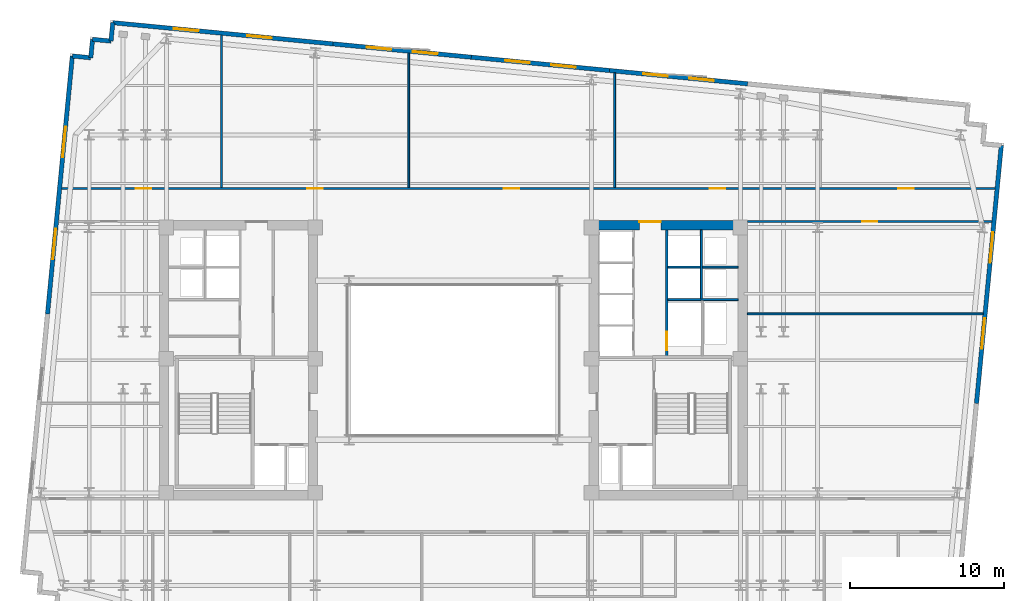
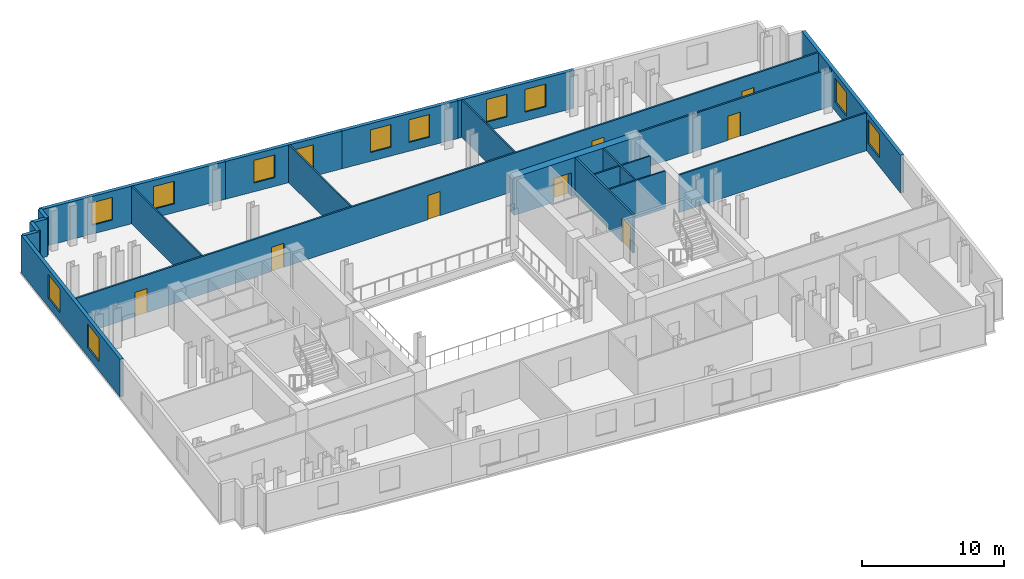
# One storey, part 6 of 9: 22 walls, 12 windows, 8 doors, 20 openings.
"""IFC4 building model written with IfcOpenShell, lengths in metres."""

from ifc_helpers import new_model, si_unit, direction, frame, frame_2d, origin, place, context, subcontext, project, spatial, rectangle, extrude, material, layer, layer_set, type_object, element, fill, save


model = new_model("IFC4")

# Units and contexts
model_context = context("Model", 3, precision=1e-05, world=origin(), true_north=direction((0.0, 1.0)))
body_context = subcontext(model_context, "Body", "Model", "MODEL_VIEW")
ifc_project = project(units=[si_unit("LENGTHUNIT", "METRE"), si_unit("AREAUNIT", "SQUARE_METRE"), si_unit("VOLUMEUNIT", "CUBIC_METRE"), si_unit("PLANEANGLEUNIT", "RADIAN"), si_unit("MASSUNIT", "GRAM", prefix="KILO")], contexts=[model_context])

# Site, building, storey
site_placement = place(None, origin())
site = spatial("IfcSite", under=ifc_project, at=site_placement, CompositionType="ELEMENT")
building_placement = place(site_placement, origin())
building = spatial("IfcBuilding", under=site, at=building_placement, Name="Velakula Bourse", CompositionType="ELEMENT")
storey_placement = place(building_placement, frame((0.0, 0.0, 177.64990234375)))
storey = spatial("IfcBuildingStorey", under=building, at=storey_placement, Name="L48", CompositionType="ELEMENT", Elevation=177.64990234375)

# Wall, opening, door
ifc_material_1 = material(Name="Concrete M70 (fck 70 MPa)", Category="concrete")
ifc_layer_1 = layer(ifc_material_1, 0.60009765625, Name="Concrete M70 (fck 70 MPa)", Category="concrete")
ifc_layer_set_1 = layer_set([ifc_layer_1], Name="Concrete M70 (fck 70 MPa)")
wall_type_1 = type_object("IfcWallType", Name="WL-CORE-600", PredefinedType="SHEAR", material=ifc_layer_set_1)
wall_1_placement = place(storey_placement, frame((8.800048828125, 8.75, 0.0), z_axis=(0.0, 0.0, 1.0), x_axis=(1.0, 0.0, 0.0)))
wall_1 = element("IfcWall", 1, at=wall_1_placement, inside=storey, type_object=wall_type_1, Name="L48 Core E Shear Wall N", PredefinedType="SHEAR", context=body_context, shape_type="SweptSolid", body=[
    extrude(rectangle(XDim=10.25, YDim=0.60009765625, at=frame_2d((5.125, 0.0))), origin(), (0.0, 0.0, 1.0), 3.27001953125),
])
opening_1_placement = place(wall_1_placement, frame((3.25, 0.0, 0.0)))
opening_1 = element("IfcOpeningElement", 2, at=opening_1_placement, cuts=wall_1, Name="Opening D-LLE", PredefinedType="OPENING", context=body_context, shape_type="SweptSolid", body=[
    extrude(rectangle(XDim=1.39990234375, YDim=2.050048828125, at=frame_2d((0.699951171875, 1.02490234375))), frame((0.0, 0.31005859375, 0.0), z_axis=(0.0, -1.0, 0.0), x_axis=(1.0, 0.0, 0.0)), (0.0, 0.0, 1.0), 0.6201171875),
])
ifc_material_2 = material(Name="Fire-rated hardwood flush architectural door", Category="wood")
door_type_1 = type_object("IfcDoorType", Name="DR-DBL-FD60-1400", OperationType="DOUBLE_DOOR_SINGLE_SWING", PredefinedType="DOOR", material=ifc_material_2)
door_1_placement = place(opening_1_placement, origin())
door_1 = element("IfcDoor", 3, at=door_1_placement, inside=storey, type_object=door_type_1, Name="L48 Core E Lift Lobby Corridor Double Door", OperationType="DOUBLE_DOOR_SINGLE_SWING", OverallHeight=2.050048828125, OverallWidth=1.39990234375, PredefinedType="DOOR", context=body_context, shape_type="SweptSolid", body=[
    extrude(rectangle(XDim=1.39990234375, YDim=2.050048828125, at=frame_2d((0.699951171875, 1.02490234375))), frame((0.0, 0.2451171875, 0.0), z_axis=(0.0, -1.0, 0.0), x_axis=(1.0, 0.0, 0.0)), (0.0, 0.0, 1.0), 0.050048828125),
])
fill(opening_1, door_1)

# Wall, openings, windows
ifc_material_3 = material(Name="Red kilned clay facing brick masonry", Category="masonry")
ifc_layer_2 = layer(ifc_material_3, 0.280029296875, Name="Red kilned clay facing brick masonry", Category="masonry")
ifc_layer_set_2 = layer_set([ifc_layer_2], Name="Red kilned clay facing brick masonry")
wall_type_2 = type_object("IfcWallType", Name="WL-EXT-BRK-280", PredefinedType="STANDARD", material=ifc_layer_set_2)
wall_2_placement = place(storey_placement, frame((-22.072509765625, 21.8701171875, 0.0), z_axis=(0.0, 0.0, 1.0), x_axis=(0.995395606285, -0.095851901334, 0.0)))
wall_2 = element("IfcWall", 4, at=wall_2_placement, inside=storey, type_object=wall_type_2, Name="L48 N Brick Spandrel Wall B1", PredefinedType="STANDARD", context=body_context, shape_type="SweptSolid", body=[
    extrude(rectangle(XDim=14.33984375, YDim=0.280029296875, at=frame_2d((7.169921875, 0.0))), origin(), (0.0, 0.0, 1.0), 3.25),
])
opening_2_placement = place(wall_2_placement, frame((3.97998046875, 0.0, 0.760009765625)))
opening_2 = element("IfcOpeningElement", 5, at=opening_2_placement, cuts=wall_2, Name="Opening W-02", PredefinedType="OPENING", context=body_context, shape_type="SweptSolid", body=[
    extrude(rectangle(XDim=1.60009765625, YDim=1.949951171875, at=frame_2d((0.800048828125, 0.97509765625))), frame((0.0, 0.14990234375, 0.0), z_axis=(0.0, -1.0, 0.0), x_axis=(1.0, 0.0, 0.0)), (0.0, 0.0, 1.0), 0.300048828125),
])
opening_3_placement = place(wall_2_placement, frame((8.760009765625, 0.0, 0.760009765625)))
opening_3 = element("IfcOpeningElement", 6, at=opening_3_placement, cuts=wall_2, Name="Opening W-02", PredefinedType="OPENING", context=body_context, shape_type="SweptSolid", body=[
    extrude(rectangle(XDim=1.60009765625, YDim=1.949951171875, at=frame_2d((0.800048828125, 0.97509765625))), frame((0.0, 0.14990234375, 0.0), z_axis=(0.0, -1.0, 0.0), x_axis=(1.0, 0.0, 0.0)), (0.0, 0.0, 1.0), 0.300048828125),
])
ifc_material_4 = material(Name="Double-glazed solar-control Low-E glass", Category="glass")
window_type_1 = type_object("IfcWindowType", Name="WIN-TWR-1600x2100", PartitioningType="SINGLE_PANEL", PredefinedType="WINDOW", material=ifc_material_4)
window_1_placement = place(opening_2_placement, origin())
window_1 = element("IfcWindow", 7, at=window_1_placement, inside=storey, type_object=window_type_1, Name="L48 Deep-Set Recessed Window 1", OverallHeight=1.949951171875, OverallWidth=1.60009765625, PartitioningType="SINGLE_PANEL", PredefinedType="WINDOW", context=body_context, shape_type="SweptSolid", body=[
    extrude(rectangle(XDim=1.60009765625, YDim=1.949951171875, at=frame_2d((0.800048828125, 0.97509765625))), frame((0.0, 0.030029296875, 0.0), z_axis=(0.0, -1.0, 0.0), x_axis=(1.0, 0.0, 0.0)), (0.0, 0.0, 1.0), 0.06005859375),
])
fill(opening_2, window_1)
window_2_placement = place(opening_3_placement, origin())
window_2 = element("IfcWindow", 8, at=window_2_placement, inside=storey, type_object=window_type_1, Name="L48 Deep-Set Recessed Window 2", OverallHeight=1.949951171875, OverallWidth=1.60009765625, PartitioningType="SINGLE_PANEL", PredefinedType="WINDOW", context=body_context, shape_type="SweptSolid", body=[
    extrude(rectangle(XDim=1.60009765625, YDim=1.949951171875, at=frame_2d((0.800048828125, 0.97509765625))), frame((0.0, 0.030029296875, 0.0), z_axis=(0.0, -1.0, 0.0), x_axis=(1.0, 0.0, 0.0)), (0.0, 0.0, 1.0), 0.06005859375),
])
fill(opening_3, window_2)

wall_3_placement = place(storey_placement, frame((-7.798583984375, 20.49560546875, 0.0), z_axis=(0.0, 0.0, 1.0), x_axis=(0.995396794462, -0.09583956164, 0.0)))
wall_3 = element("IfcWall", 9, at=wall_3_placement, inside=storey, type_object=wall_type_2, Name="L48 N Brick Spandrel Wall B2", PredefinedType="STANDARD", context=body_context, shape_type="SweptSolid", body=[
    extrude(rectangle(XDim=9.0, YDim=0.280029296875, at=frame_2d((4.5, 0.0))), origin(), (0.0, 0.0, 1.0), 3.25),
])
opening_4_placement = place(wall_3_placement, frame((2.199951171875, 0.0, 0.760009765625)))
opening_4 = element("IfcOpeningElement", 10, at=opening_4_placement, cuts=wall_3, Name="Opening W-02", PredefinedType="OPENING", context=body_context, shape_type="SweptSolid", body=[
    extrude(rectangle(XDim=1.60009765625, YDim=1.949951171875, at=frame_2d((0.800048828125, 0.97509765625))), frame((0.0, 0.14990234375, 0.0), z_axis=(0.0, -1.0, 0.0), x_axis=(1.0, 0.0, 0.0)), (0.0, 0.0, 1.0), 0.300048828125),
])
opening_5_placement = place(wall_3_placement, frame((5.199951171875, 0.0, 0.760009765625)))
opening_5 = element("IfcOpeningElement", 11, at=opening_5_placement, cuts=wall_3, Name="Opening W-02", PredefinedType="OPENING", context=body_context, shape_type="SweptSolid", body=[
    extrude(rectangle(XDim=1.60009765625, YDim=1.949951171875, at=frame_2d((0.800048828125, 0.97509765625))), frame((0.0, 0.14990234375, 0.0), z_axis=(0.0, -1.0, 0.0), x_axis=(1.0, 0.0, 0.0)), (0.0, 0.0, 1.0), 0.300048828125),
])
window_3_placement = place(opening_4_placement, origin())
window_3 = element("IfcWindow", 12, at=window_3_placement, inside=storey, type_object=window_type_1, Name="L48 Deep-Set Recessed Window 1", OverallHeight=1.949951171875, OverallWidth=1.60009765625, PartitioningType="SINGLE_PANEL", PredefinedType="WINDOW", context=body_context, shape_type="SweptSolid", body=[
    extrude(rectangle(XDim=1.60009765625, YDim=1.949951171875, at=frame_2d((0.800048828125, 0.97509765625))), frame((0.0, 0.030029296875, 0.0), z_axis=(0.0, -1.0, 0.0), x_axis=(1.0, 0.0, 0.0)), (0.0, 0.0, 1.0), 0.06005859375),
])
fill(opening_4, window_3)
window_4_placement = place(opening_5_placement, origin())
window_4 = element("IfcWindow", 13, at=window_4_placement, inside=storey, type_object=window_type_1, Name="L48 Deep-Set Recessed Window 2", OverallHeight=1.949951171875, OverallWidth=1.60009765625, PartitioningType="SINGLE_PANEL", PredefinedType="WINDOW", context=body_context, shape_type="SweptSolid", body=[
    extrude(rectangle(XDim=1.60009765625, YDim=1.949951171875, at=frame_2d((0.800048828125, 0.97509765625))), frame((0.0, 0.030029296875, 0.0), z_axis=(0.0, -1.0, 0.0), x_axis=(1.0, 0.0, 0.0)), (0.0, 0.0, 1.0), 0.06005859375),
])
fill(opening_5, window_4)

wall_4_placement = place(storey_placement, frame((1.159912109375, 19.633056640625, 0.0), z_axis=(0.0, 0.0, 1.0), x_axis=(0.995394455533, -0.09586385082, 0.0)))
wall_4 = element("IfcWall", 14, at=wall_4_placement, inside=storey, type_object=wall_type_2, Name="L48 N Brick Spandrel Wall B3", PredefinedType="STANDARD", context=body_context, shape_type="SweptSolid", body=[
    extrude(rectangle(XDim=9.000244140625, YDim=0.280029296875, at=frame_2d((4.5, 0.0))), origin(), (0.0, 0.0, 1.0), 3.25),
])
opening_6_placement = place(wall_4_placement, frame((2.199951171875, 0.0, 0.760009765625)))
opening_6 = element("IfcOpeningElement", 15, at=opening_6_placement, cuts=wall_4, Name="Opening W-02", PredefinedType="OPENING", context=body_context, shape_type="SweptSolid", body=[
    extrude(rectangle(XDim=1.60009765625, YDim=1.949951171875, at=frame_2d((0.800048828125, 0.97509765625))), frame((0.0, 0.14990234375, 0.0), z_axis=(0.0, -1.0, 0.0), x_axis=(1.0, 0.0, 0.0)), (0.0, 0.0, 1.0), 0.300048828125),
])
opening_7_placement = place(wall_4_placement, frame((5.199951171875, 0.0, 0.760009765625)))
opening_7 = element("IfcOpeningElement", 16, at=opening_7_placement, cuts=wall_4, Name="Opening W-02", PredefinedType="OPENING", context=body_context, shape_type="SweptSolid", body=[
    extrude(rectangle(XDim=1.60009765625, YDim=1.949951171875, at=frame_2d((0.800048828125, 0.97509765625))), frame((0.0, 0.14990234375, 0.0), z_axis=(0.0, -1.0, 0.0), x_axis=(1.0, 0.0, 0.0)), (0.0, 0.0, 1.0), 0.300048828125),
])
window_5_placement = place(opening_6_placement, origin())
window_5 = element("IfcWindow", 17, at=window_5_placement, inside=storey, type_object=window_type_1, Name="L48 Deep-Set Recessed Window 1", OverallHeight=1.949951171875, OverallWidth=1.60009765625, PartitioningType="SINGLE_PANEL", PredefinedType="WINDOW", context=body_context, shape_type="SweptSolid", body=[
    extrude(rectangle(XDim=1.60009765625, YDim=1.949951171875, at=frame_2d((0.800048828125, 0.97509765625))), frame((0.0, 0.030029296875, 0.0), z_axis=(0.0, -1.0, 0.0), x_axis=(1.0, 0.0, 0.0)), (0.0, 0.0, 1.0), 0.06005859375),
])
fill(opening_6, window_5)
window_6_placement = place(opening_7_placement, origin())
window_6 = element("IfcWindow", 18, at=window_6_placement, inside=storey, type_object=window_type_1, Name="L48 Deep-Set Recessed Window 2", OverallHeight=1.949951171875, OverallWidth=1.60009765625, PartitioningType="SINGLE_PANEL", PredefinedType="WINDOW", context=body_context, shape_type="SweptSolid", body=[
    extrude(rectangle(XDim=1.60009765625, YDim=1.949951171875, at=frame_2d((0.800048828125, 0.97509765625))), frame((0.0, 0.030029296875, 0.0), z_axis=(0.0, -1.0, 0.0), x_axis=(1.0, 0.0, 0.0)), (0.0, 0.0, 1.0), 0.06005859375),
])
fill(opening_7, window_6)

wall_5_placement = place(storey_placement, frame((10.11865234375, 18.770263671875, 0.0), z_axis=(0.0, 0.0, 1.0), x_axis=(0.995396794462, -0.09583956164, 0.0)))
wall_5 = element("IfcWall", 19, at=wall_5_placement, inside=storey, type_object=wall_type_2, Name="L48 N Brick Spandrel Wall B4", PredefinedType="STANDARD", context=body_context, shape_type="SweptSolid", body=[
    extrude(rectangle(XDim=9.0, YDim=0.280029296875, at=frame_2d((4.5, 0.0))), origin(), (0.0, 0.0, 1.0), 3.25),
])
opening_8_placement = place(wall_5_placement, frame((2.199951171875, 0.0, 0.760009765625)))
opening_8 = element("IfcOpeningElement", 20, at=opening_8_placement, cuts=wall_5, Name="Opening W-02", PredefinedType="OPENING", context=body_context, shape_type="SweptSolid", body=[
    extrude(rectangle(XDim=1.60009765625, YDim=1.949951171875, at=frame_2d((0.800048828125, 0.97509765625))), frame((0.0, 0.14990234375, 0.0), z_axis=(0.0, -1.0, 0.0), x_axis=(1.0, 0.0, 0.0)), (0.0, 0.0, 1.0), 0.300048828125),
])
opening_9_placement = place(wall_5_placement, frame((5.199951171875, 0.0, 0.760009765625)))
opening_9 = element("IfcOpeningElement", 21, at=opening_9_placement, cuts=wall_5, Name="Opening W-02", PredefinedType="OPENING", context=body_context, shape_type="SweptSolid", body=[
    extrude(rectangle(XDim=1.60009765625, YDim=1.949951171875, at=frame_2d((0.800048828125, 0.97509765625))), frame((0.0, 0.14990234375, 0.0), z_axis=(0.0, -1.0, 0.0), x_axis=(1.0, 0.0, 0.0)), (0.0, 0.0, 1.0), 0.300048828125),
])
window_7_placement = place(opening_8_placement, origin())
window_7 = element("IfcWindow", 22, at=window_7_placement, inside=storey, type_object=window_type_1, Name="L48 Deep-Set Recessed Window 1", OverallHeight=1.949951171875, OverallWidth=1.60009765625, PartitioningType="SINGLE_PANEL", PredefinedType="WINDOW", context=body_context, shape_type="SweptSolid", body=[
    extrude(rectangle(XDim=1.60009765625, YDim=1.949951171875, at=frame_2d((0.800048828125, 0.97509765625))), frame((0.0, 0.030029296875, 0.0), z_axis=(0.0, -1.0, 0.0), x_axis=(1.0, 0.0, 0.0)), (0.0, 0.0, 1.0), 0.06005859375),
])
fill(opening_8, window_7)
window_8_placement = place(opening_9_placement, origin())
window_8 = element("IfcWindow", 23, at=window_8_placement, inside=storey, type_object=window_type_1, Name="L48 Deep-Set Recessed Window 2", OverallHeight=1.949951171875, OverallWidth=1.60009765625, PartitioningType="SINGLE_PANEL", PredefinedType="WINDOW", context=body_context, shape_type="SweptSolid", body=[
    extrude(rectangle(XDim=1.60009765625, YDim=1.949951171875, at=frame_2d((0.800048828125, 0.97509765625))), frame((0.0, 0.030029296875, 0.0), z_axis=(0.0, -1.0, 0.0), x_axis=(1.0, 0.0, 0.0)), (0.0, 0.0, 1.0), 0.06005859375),
])
fill(opening_9, window_8)

wall_6_placement = place(storey_placement, frame((-26.30078125, 2.998291015625, 0.0), z_axis=(0.0, 0.0, 1.0), x_axis=(0.095837640115, 0.99539697947, 0.0)))
wall_6 = element("IfcWall", 24, at=wall_6_placement, inside=storey, type_object=wall_type_2, Name="L48 W Brick End Wall W2", PredefinedType="STANDARD", context=body_context, shape_type="SweptSolid", body=[
    extrude(rectangle(XDim=16.790283203125, YDim=0.280029296875, at=frame_2d((8.39501953125, 0.0))), origin(), (0.0, 0.0, 1.0), 3.25),
])
opening_10_placement = place(wall_6_placement, frame((3.546630859375, 0.0, 0.760009765625)))
opening_10 = element("IfcOpeningElement", 25, at=opening_10_placement, cuts=wall_6, Name="Opening W-05", PredefinedType="OPENING", context=body_context, shape_type="SweptSolid", body=[
    extrude(rectangle(XDim=2.0, YDim=2.050048828125, at=frame_2d((1.0, 1.02490234375))), frame((0.0, 0.14990234375, 0.0), z_axis=(0.0, -1.0, 0.0), x_axis=(1.0, 0.0, 0.0)), (0.0, 0.0, 1.0), 0.300048828125),
])
opening_11_placement = place(wall_6_placement, frame((10.193359375, 0.0, 0.760009765625)))
opening_11 = element("IfcOpeningElement", 26, at=opening_11_placement, cuts=wall_6, Name="Opening W-05", PredefinedType="OPENING", context=body_context, shape_type="SweptSolid", body=[
    extrude(rectangle(XDim=2.0, YDim=2.050048828125, at=frame_2d((1.0, 1.02490234375))), frame((0.0, 0.14990234375, 0.0), z_axis=(0.0, -1.0, 0.0), x_axis=(1.0, 0.0, 0.0)), (0.0, 0.0, 1.0), 0.300048828125),
])
window_type_2 = type_object("IfcWindowType", Name="WIN-TWR-2000x2200", PartitioningType="DOUBLE_PANEL_VERTICAL", PredefinedType="WINDOW", material=ifc_material_4)
window_9_placement = place(opening_10_placement, origin())
window_9 = element("IfcWindow", 27, at=window_9_placement, inside=storey, type_object=window_type_2, Name="L48 Deep-Set Recessed Window 1", OverallHeight=2.050048828125, OverallWidth=2.0, PartitioningType="DOUBLE_PANEL_VERTICAL", PredefinedType="WINDOW", context=body_context, shape_type="SweptSolid", body=[
    extrude(rectangle(XDim=2.0, YDim=2.050048828125, at=frame_2d((1.0, 1.02490234375))), frame((0.0, 0.030029296875, 0.0), z_axis=(0.0, -1.0, 0.0), x_axis=(1.0, 0.0, 0.0)), (0.0, 0.0, 1.0), 0.06005859375),
])
fill(opening_10, window_9)
window_10_placement = place(opening_11_placement, origin())
window_10 = element("IfcWindow", 28, at=window_10_placement, inside=storey, type_object=window_type_2, Name="L48 Deep-Set Recessed Window 2", OverallHeight=2.050048828125, OverallWidth=2.0, PartitioningType="DOUBLE_PANEL_VERTICAL", PredefinedType="WINDOW", context=body_context, shape_type="SweptSolid", body=[
    extrude(rectangle(XDim=2.0, YDim=2.050048828125, at=frame_2d((1.0, 1.02490234375))), frame((0.0, 0.030029296875, 0.0), z_axis=(0.0, -1.0, 0.0), x_axis=(1.0, 0.0, 0.0)), (0.0, 0.0, 1.0), 0.06005859375),
])
fill(opening_11, window_10)

wall_7_placement = place(storey_placement, frame((35.510009765625, 13.914306640625, 0.0), z_axis=(0.0, 0.0, 1.0), x_axis=(-0.095839027265, -0.995396845913, 0.0)))
wall_7 = element("IfcWall", 29, at=wall_7_placement, inside=storey, type_object=wall_type_2, Name="L48 E Brick End Wall W2", PredefinedType="STANDARD", context=body_context, shape_type="SweptSolid", body=[
    extrude(rectangle(XDim=16.7900390625, YDim=0.280029296875, at=frame_2d((8.39501953125, 0.0))), origin(), (0.0, 0.0, 1.0), 3.25),
])
opening_12_placement = place(wall_7_placement, frame((5.646728515625, 0.0, 0.760009765625)))
opening_12 = element("IfcOpeningElement", 30, at=opening_12_placement, cuts=wall_7, Name="Opening W-05", PredefinedType="OPENING", context=body_context, shape_type="SweptSolid", body=[
    extrude(rectangle(XDim=2.0, YDim=2.050048828125, at=frame_2d((1.0, 1.02490234375))), frame((0.0, 0.14990234375, 0.0), z_axis=(0.0, -1.0, 0.0), x_axis=(1.0, 0.0, 0.0)), (0.0, 0.0, 1.0), 0.300048828125),
])
opening_13_placement = place(wall_7_placement, frame((11.243408203125, 0.0, 0.760009765625)))
opening_13 = element("IfcOpeningElement", 31, at=opening_13_placement, cuts=wall_7, Name="Opening W-05", PredefinedType="OPENING", context=body_context, shape_type="SweptSolid", body=[
    extrude(rectangle(XDim=2.0, YDim=2.050048828125, at=frame_2d((1.0, 1.02490234375))), frame((0.0, 0.14990234375, 0.0), z_axis=(0.0, -1.0, 0.0), x_axis=(1.0, 0.0, 0.0)), (0.0, 0.0, 1.0), 0.300048828125),
])
window_11_placement = place(opening_12_placement, origin())
window_11 = element("IfcWindow", 32, at=window_11_placement, inside=storey, type_object=window_type_2, Name="L48 Deep-Set Recessed Window 1", OverallHeight=2.050048828125, OverallWidth=2.0, PartitioningType="DOUBLE_PANEL_VERTICAL", PredefinedType="WINDOW", context=body_context, shape_type="SweptSolid", body=[
    extrude(rectangle(XDim=2.0, YDim=2.050048828125, at=frame_2d((1.0, 1.02490234375))), frame((0.0, 0.030029296875, 0.0), z_axis=(0.0, -1.0, 0.0), x_axis=(1.0, 0.0, 0.0)), (0.0, 0.0, 1.0), 0.06005859375),
])
fill(opening_12, window_11)
window_12_placement = place(opening_13_placement, origin())
window_12 = element("IfcWindow", 33, at=window_12_placement, inside=storey, type_object=window_type_2, Name="L48 Deep-Set Recessed Window 2", OverallHeight=2.050048828125, OverallWidth=2.0, PartitioningType="DOUBLE_PANEL_VERTICAL", PredefinedType="WINDOW", context=body_context, shape_type="SweptSolid", body=[
    extrude(rectangle(XDim=2.0, YDim=2.050048828125, at=frame_2d((1.0, 1.02490234375))), frame((0.0, 0.030029296875, 0.0), z_axis=(0.0, -1.0, 0.0), x_axis=(1.0, 0.0, 0.0)), (0.0, 0.0, 1.0), 0.06005859375),
])
fill(opening_13, window_12)

# Walls
for number, where, z_axis, x_axis, name in (
    (34, (-22.072509765625, 21.8701171875, 0.0), (0.0, 0.0, 1.0), (-0.095817067274, -0.995398960025, 0.0), "L48 Serrated Corner Brick Wall NW-1"),
    (35, (-22.1875, 20.675537109375, 0.0), (0.0, 0.0, 1.0), (-0.995398960025, 0.095817067274, 0.0), "L48 Serrated Corner Brick Wall NW-2"),
    (36, (-23.382080078125, 20.79052734375, 0.0), (0.0, 0.0, 1.0), (-0.095817067274, -0.995398960025, 0.0), "L48 Serrated Corner Brick Wall NW-3"),
    (37, (-23.4970703125, 19.595947265625, 0.0), (0.0, 0.0, 1.0), (-0.995379537303, 0.096018626938, 0.0), "L48 Serrated Corner Brick Wall NW-4"),
):
    element("IfcWall", number, at=place(storey_placement, frame(where, z_axis=z_axis, x_axis=x_axis)), inside=storey, type_object=wall_type_2, Name=name, PredefinedType="STANDARD", context=body_context, shape_type="SweptSolid", body=[
        extrude(rectangle(XDim=1.2001953125, YDim=0.280029296875, at=frame_2d((0.60009765625, 0.0))), origin(), (0.0, 0.0, 1.0), 3.25),
    ])
ifc_material_5 = material(Name="Fire-rated double-layer gypsum drywall partition", Category="gypsum")
ifc_layer_3 = layer(ifc_material_5, 0.1201171875, Name="Fire-rated double-layer gypsum drywall partition", Category="gypsum")
ifc_layer_set_3 = layer_set([ifc_layer_3], Name="Fire-rated double-layer gypsum drywall partition")
wall_type_3 = type_object("IfcWallType", Name="WL-PART-120", PredefinedType="STANDARD", material=ifc_layer_set_3)
wall_8_placement = place(storey_placement, frame((13.89990234375, 3.919921875, 0.0), z_axis=(0.0, 0.0, 1.0), x_axis=(1.0, 0.0, 0.0)))
element("IfcWall", 38, at=wall_8_placement, inside=storey, type_object=wall_type_3, Name="L48 Interior Partition WL-CRE-L48-HI-S", PredefinedType="STANDARD", context=body_context, shape_type="SweptSolid", body=[
    extrude(rectangle(XDim=4.550048828125, YDim=0.1201171875, at=frame_2d((2.27490234375, 0.0))), origin(), (0.0, 0.0, 1.0), 3.25),
])
wall_9_placement = place(storey_placement, frame((16.14990234375, 6.030029296875, 0.0), z_axis=(0.0, 0.0, 1.0), x_axis=(1.0, 0.0, 0.0)))
element("IfcWall", 39, at=wall_9_placement, inside=storey, type_object=wall_type_3, Name="L48 Interior Partition WL-CRE-L48-RIS-MID", PredefinedType="STANDARD", context=body_context, shape_type="SweptSolid", body=[
    extrude(rectangle(XDim=2.300048828125, YDim=0.1201171875, at=frame_2d((1.14990234375, 0.0))), origin(), (0.0, 0.0, 1.0), 3.25),
])
wall_10_placement = place(storey_placement, frame((16.074951171875, 3.97998046875, 0.0), z_axis=(0.0, 0.0, 1.0), x_axis=(0.0, 1.0, 0.0)))
element("IfcWall", 40, at=wall_10_placement, inside=storey, type_object=wall_type_3, Name="L48 Interior Partition WL-CRE-L48-RIS-F", PredefinedType="STANDARD", context=body_context, shape_type="SweptSolid", body=[
    extrude(rectangle(XDim=4.469970703125, YDim=0.1201171875, at=frame_2d((2.23486328125, 0.0))), origin(), (0.0, 0.0, 1.0), 3.25),
])
wall_11_placement = place(storey_placement, frame((13.89990234375, 6.030029296875, 0.0), z_axis=(0.0, 0.0, 1.0), x_axis=(1.0, 0.0, 0.0)))
element("IfcWall", 41, at=wall_11_placement, inside=storey, type_object=wall_type_3, Name="L48 Interior Partition WL-CRE-L48-HI-DIV", PredefinedType="STANDARD", context=body_context, shape_type="SweptSolid", body=[
    extrude(rectangle(XDim=2.10009765625, YDim=0.1201171875, at=frame_2d((1.050048828125, 0.0))), origin(), (0.0, 0.0, 1.0), 3.25),
])
wall_12_placement = place(storey_placement, frame((-15.02197265625, 11.18994140625, 0.0), z_axis=(0.0, 0.0, 1.0), x_axis=(0.0, 1.0, 0.0)))
element("IfcWall", 42, at=wall_12_placement, inside=storey, type_object=wall_type_3, Name="L48 Interior Partition WL-INT-L48-N-D1", PredefinedType="STANDARD", context=body_context, shape_type="SweptSolid", body=[
    extrude(rectangle(XDim=9.880615234375, YDim=0.1201171875, at=frame_2d((4.9404296875, 0.0))), origin(), (0.0, 0.0, 1.0), 3.25),
])
wall_13_placement = place(storey_placement, frame((-2.89306640625, 11.18994140625, 0.0), z_axis=(0.0, 0.0, 1.0), x_axis=(0.0, 1.0, 0.0)))
element("IfcWall", 43, at=wall_13_placement, inside=storey, type_object=wall_type_3, Name="L48 Interior Partition WL-INT-L48-N-D2", PredefinedType="STANDARD", context=body_context, shape_type="SweptSolid", body=[
    extrude(rectangle(XDim=8.712646484375, YDim=0.1201171875, at=frame_2d((4.3564453125, 0.0))), origin(), (0.0, 0.0, 1.0), 3.25),
])
wall_14_placement = place(storey_placement, frame((10.448974609375, 11.18994140625, 0.0), z_axis=(0.0, 0.0, 1.0), x_axis=(0.0, 1.0, 0.0)))
element("IfcWall", 44, at=wall_14_placement, inside=storey, type_object=wall_type_3, Name="L48 Interior Partition WL-INT-L48-N-D3", PredefinedType="STANDARD", context=body_context, shape_type="SweptSolid", body=[
    extrude(rectangle(XDim=7.427978515625, YDim=0.1201171875, at=frame_2d((3.7138671875, 0.0))), origin(), (0.0, 0.0, 1.0), 3.25),
])
wall_15_placement = place(storey_placement, frame((19.050048828125, 3.0, 0.0), z_axis=(0.0, 0.0, 1.0), x_axis=(1.0, 0.0, 0.0)))
element("IfcWall", 45, at=wall_15_placement, inside=storey, type_object=wall_type_3, Name="L48 Interior Partition WL-INT-L48-E-H", PredefinedType="STANDARD", context=body_context, shape_type="SweptSolid", body=[
    extrude(rectangle(XDim=15.288330078125, YDim=0.1201171875, at=frame_2d((7.64404296875, 0.0))), origin(), (0.0, 0.0, 1.0), 3.25),
])

# Wall, openings, doors
ifc_layer_4 = layer(ifc_material_5, 0.139892578125, Name="Fire-rated double-layer gypsum drywall partition", Category="gypsum")
ifc_layer_set_4 = layer_set([ifc_layer_4], Name="Fire-rated double-layer gypsum drywall partition")
wall_type_4 = type_object("IfcWallType", Name="WL-PART-140", PredefinedType="STANDARD", material=ifc_layer_set_4)
wall_16_placement = place(storey_placement, frame((-25.398193359375, 11.1201171875, 0.0), z_axis=(0.0, 0.0, 1.0), x_axis=(1.0, 0.0, 0.0)))
wall_16 = element("IfcWall", 46, at=wall_16_placement, inside=storey, type_object=wall_type_4, Name="L48 Interior Partition WL-INT-L48-N-CORR", PredefinedType="STANDARD", context=body_context, shape_type="SweptSolid", body=[
    extrude(rectangle(XDim=60.5185546875, YDim=0.139892578125, at=frame_2d((30.25927734375, 0.0))), origin(), (0.0, 0.0, 1.0), 3.25),
])
opening_14_placement = place(wall_16_placement, frame((4.814208984375, 0.0, 0.0)))
opening_14 = element("IfcOpeningElement", 47, at=opening_14_placement, cuts=wall_16, Name="Opening D-OF1", PredefinedType="OPENING", context=body_context, shape_type="SweptSolid", body=[
    extrude(rectangle(XDim=1.0, YDim=2.080078125, at=frame_2d((0.5, 1.0400390625))), frame((0.0, 0.079833984375, 0.0), z_axis=(0.0, -1.0, 0.0), x_axis=(1.0, 0.0, 0.0)), (0.0, 0.0, 1.0), 0.159912109375),
])
opening_15_placement = place(wall_16_placement, frame((15.940673828125, 0.0, 0.0)))
opening_15 = element("IfcOpeningElement", 48, at=opening_15_placement, cuts=wall_16, Name="Opening D-OF1", PredefinedType="OPENING", context=body_context, shape_type="SweptSolid", body=[
    extrude(rectangle(XDim=1.0, YDim=2.080078125, at=frame_2d((0.5, 1.0400390625))), frame((0.0, 0.079833984375, 0.0), z_axis=(0.0, -1.0, 0.0), x_axis=(1.0, 0.0, 0.0)), (0.0, 0.0, 1.0), 0.159912109375),
])
opening_16_placement = place(wall_16_placement, frame((28.67626953125, 0.0, 0.0)))
opening_16 = element("IfcOpeningElement", 49, at=opening_16_placement, cuts=wall_16, Name="Opening D-OF1", PredefinedType="OPENING", context=body_context, shape_type="SweptSolid", body=[
    extrude(rectangle(XDim=1.0, YDim=2.080078125, at=frame_2d((0.5, 1.0400390625))), frame((0.0, 0.079833984375, 0.0), z_axis=(0.0, -1.0, 0.0), x_axis=(1.0, 0.0, 0.0)), (0.0, 0.0, 1.0), 0.159912109375),
])
opening_17_placement = place(wall_16_placement, frame((42.018310546875, 0.0, 0.0)))
opening_17 = element("IfcOpeningElement", 50, at=opening_17_placement, cuts=wall_16, Name="Opening D-OF1", PredefinedType="OPENING", context=body_context, shape_type="SweptSolid", body=[
    extrude(rectangle(XDim=1.0, YDim=2.080078125, at=frame_2d((0.5, 1.0400390625))), frame((0.0, 0.079833984375, 0.0), z_axis=(0.0, -1.0, 0.0), x_axis=(1.0, 0.0, 0.0)), (0.0, 0.0, 1.0), 0.159912109375),
])
opening_18_placement = place(wall_16_placement, frame((54.227783203125, 0.0, 0.0)))
opening_18 = element("IfcOpeningElement", 51, at=opening_18_placement, cuts=wall_16, Name="Opening D-OF1", PredefinedType="OPENING", context=body_context, shape_type="SweptSolid", body=[
    extrude(rectangle(XDim=1.0, YDim=2.080078125, at=frame_2d((0.5, 1.0400390625))), frame((0.0, 0.079833984375, 0.0), z_axis=(0.0, -1.0, 0.0), x_axis=(1.0, 0.0, 0.0)), (0.0, 0.0, 1.0), 0.159912109375),
])
door_type_2 = type_object("IfcDoorType", Name="DR-OFF-1000", OperationType="NOTDEFINED", PredefinedType="DOOR", material=ifc_material_2)
door_2_placement = place(opening_14_placement, origin())
door_2 = element("IfcDoor", 52, at=door_2_placement, inside=storey, type_object=door_type_2, Name="L48 Cash Equities Dealing Workspace Door", OperationType="SINGLE_SWING_LEFT", OverallHeight=2.080078125, OverallWidth=1.0, PredefinedType="DOOR", context=body_context, shape_type="SweptSolid", body=[
    extrude(rectangle(XDim=1.0, YDim=2.080078125, at=frame_2d((0.5, 1.0400390625))), frame((0.0, 0.02490234375, 0.0), z_axis=(0.0, -1.0, 0.0), x_axis=(1.0, 0.0, 0.0)), (0.0, 0.0, 1.0), 0.050048828125),
])
fill(opening_14, door_2)
door_3_placement = place(opening_15_placement, origin())
door_3 = element("IfcDoor", 53, at=door_3_placement, inside=storey, type_object=door_type_2, Name="L48 Arbitration Conference Room Door", OperationType="SINGLE_SWING_RIGHT", OverallHeight=2.080078125, OverallWidth=1.0, PredefinedType="DOOR", context=body_context, shape_type="SweptSolid", body=[
    extrude(rectangle(XDim=1.0, YDim=2.080078125, at=frame_2d((0.5, 1.0400390625))), frame((0.0, 0.02490234375, 0.0), z_axis=(0.0, -1.0, 0.0), x_axis=(1.0, 0.0, 0.0)), (0.0, 0.0, 1.0), 0.050048828125),
])
fill(opening_15, door_3)
door_4_placement = place(opening_16_placement, origin())
door_4 = element("IfcDoor", 54, at=door_4_placement, inside=storey, type_object=door_type_2, Name="L48 Tea Room Kitchenette Door", OperationType="SINGLE_SWING_LEFT", OverallHeight=2.080078125, OverallWidth=1.0, PredefinedType="DOOR", context=body_context, shape_type="SweptSolid", body=[
    extrude(rectangle(XDim=1.0, YDim=2.080078125, at=frame_2d((0.5, 1.0400390625))), frame((0.0, 0.02490234375, 0.0), z_axis=(0.0, -1.0, 0.0), x_axis=(1.0, 0.0, 0.0)), (0.0, 0.0, 1.0), 0.050048828125),
])
fill(opening_16, door_4)
door_5_placement = place(opening_17_placement, origin())
door_5 = element("IfcDoor", 55, at=door_5_placement, inside=storey, type_object=door_type_2, Name="L48 Sky-Garden Veranda Lounge Door", OperationType="SINGLE_SWING_RIGHT", OverallHeight=2.080078125, OverallWidth=1.0, PredefinedType="DOOR", context=body_context, shape_type="SweptSolid", body=[
    extrude(rectangle(XDim=1.0, YDim=2.080078125, at=frame_2d((0.5, 1.0400390625))), frame((0.0, 0.02490234375, 0.0), z_axis=(0.0, -1.0, 0.0), x_axis=(1.0, 0.0, 0.0)), (0.0, 0.0, 1.0), 0.050048828125),
])
fill(opening_17, door_5)
door_6_placement = place(opening_18_placement, origin())
door_6 = element("IfcDoor", 56, at=door_6_placement, inside=storey, type_object=door_type_2, Name="L48 Company Secretary Office Door", OperationType="SINGLE_SWING_LEFT", OverallHeight=2.080078125, OverallWidth=1.0, PredefinedType="DOOR", context=body_context, shape_type="SweptSolid", body=[
    extrude(rectangle(XDim=1.0, YDim=2.080078125, at=frame_2d((0.5, 1.0400390625))), frame((0.0, 0.02490234375, 0.0), z_axis=(0.0, -1.0, 0.0), x_axis=(1.0, 0.0, 0.0)), (0.0, 0.0, 1.0), 0.050048828125),
])
fill(opening_18, door_6)

# Wall, opening, door
wall_17_placement = place(storey_placement, frame((19.050048828125, 8.97998046875, 0.0), z_axis=(0.0, 0.0, 1.0), x_axis=(1.0, 0.0, 0.0)))
wall_17 = element("IfcWall", 57, at=wall_17_placement, inside=storey, type_object=wall_type_4, Name="L48 Interior Partition WL-INT-L48-E-NC", PredefinedType="STANDARD", context=body_context, shape_type="SweptSolid", body=[
    extrude(rectangle(XDim=15.8642578125, YDim=0.139892578125, at=frame_2d((7.93212890625, 0.0))), origin(), (0.0, 0.0, 1.0), 3.25),
])
opening_19_placement = place(wall_17_placement, frame((7.43212890625, 0.0, 0.0)))
opening_19 = element("IfcOpeningElement", 58, at=opening_19_placement, cuts=wall_17, Name="Opening D-OF1", PredefinedType="OPENING", context=body_context, shape_type="SweptSolid", body=[
    extrude(rectangle(XDim=1.0, YDim=2.080078125, at=frame_2d((0.5, 1.0400390625))), frame((0.0, 0.079833984375, 0.0), z_axis=(0.0, -1.0, 0.0), x_axis=(1.0, 0.0, 0.0)), (0.0, 0.0, 1.0), 0.159912109375),
])
door_7_placement = place(opening_19_placement, origin())
door_7 = element("IfcDoor", 59, at=door_7_placement, inside=storey, type_object=door_type_2, Name="L48 Broadcast Control Office Door", OperationType="SINGLE_SWING_LEFT", OverallHeight=2.080078125, OverallWidth=1.0, PredefinedType="DOOR", context=body_context, shape_type="SweptSolid", body=[
    extrude(rectangle(XDim=1.0, YDim=2.080078125, at=frame_2d((0.5, 1.0400390625))), frame((0.0, 0.02490234375, 0.0), z_axis=(0.0, -1.0, 0.0), x_axis=(1.0, 0.0, 0.0)), (0.0, 0.0, 1.0), 0.050048828125),
])
fill(opening_19, door_7)

ifc_material_6 = material(Name="Autoclaved aerated concrete blockwork masonry", Category="masonry")
ifc_layer_5 = layer(ifc_material_6, 0.14990234375, Name="Autoclaved aerated concrete blockwork masonry", Category="masonry")
ifc_layer_set_5 = layer_set([ifc_layer_5], Name="Autoclaved aerated concrete blockwork masonry")
wall_type_5 = type_object("IfcWallType", Name="WL-SHAFT-150", PredefinedType="STANDARD", material=ifc_layer_set_5)
wall_18_placement = place(storey_placement, frame((13.824951171875, 0.27001953125, 0.0), z_axis=(0.0, 0.0, 1.0), x_axis=(0.0, 1.0, 0.0)))
wall_18 = element("IfcWall", 60, at=wall_18_placement, inside=storey, type_object=wall_type_5, Name="L48 Interior Partition WL-CRE-L48-OUT-F", PredefinedType="STANDARD", context=body_context, shape_type="SweptSolid", body=[
    extrude(rectangle(XDim=8.179931640625, YDim=0.14990234375, at=frame_2d((4.08984375, 0.0))), origin(), (0.0, 0.0, 1.0), 3.25),
])
opening_20_placement = place(wall_18_placement, frame((0.3798828125, 0.0, 0.0)))
opening_20 = element("IfcOpeningElement", 61, at=opening_20_placement, cuts=wall_18, Name="Opening LD-SVL1", PredefinedType="OPENING", context=body_context, shape_type="SweptSolid", body=[
    extrude(rectangle(XDim=1.199951171875, YDim=2.10009765625, at=frame_2d((0.60009765625, 1.050048828125))), frame((0.0, 0.0849609375, 0.0), z_axis=(0.0, -1.0, 0.0), x_axis=(1.0, 0.0, 0.0)), (0.0, 0.0, 1.0), 0.169921875),
])
ifc_material_7 = material(Name="Brushed grade 316 stainless steel", Category="steel")
door_type_3 = type_object("IfcDoorType", Name="DR-SLIDE-LD-1200", OperationType="DOUBLE_DOOR_SLIDING", PredefinedType="DOOR", material=ifc_material_7)
door_8_placement = place(opening_20_placement, origin())
door_8 = element("IfcDoor", 62, at=door_8_placement, inside=storey, type_object=door_type_3, Name="L48 Service Lift SVL-1 Sliding Landing Door", OperationType="DOUBLE_DOOR_SLIDING", OverallHeight=2.10009765625, OverallWidth=1.199951171875, PredefinedType="DOOR", context=body_context, shape_type="SweptSolid", body=[
    extrude(rectangle(XDim=1.199951171875, YDim=2.10009765625, at=frame_2d((0.60009765625, 1.050048828125))), frame((0.0, 0.02490234375, 0.0), z_axis=(0.0, -1.0, 0.0), x_axis=(1.0, 0.0, 0.0)), (0.0, 0.0, 1.0), 0.050048828125),
])
fill(opening_20, door_8)

save(model, "model.ifc")
